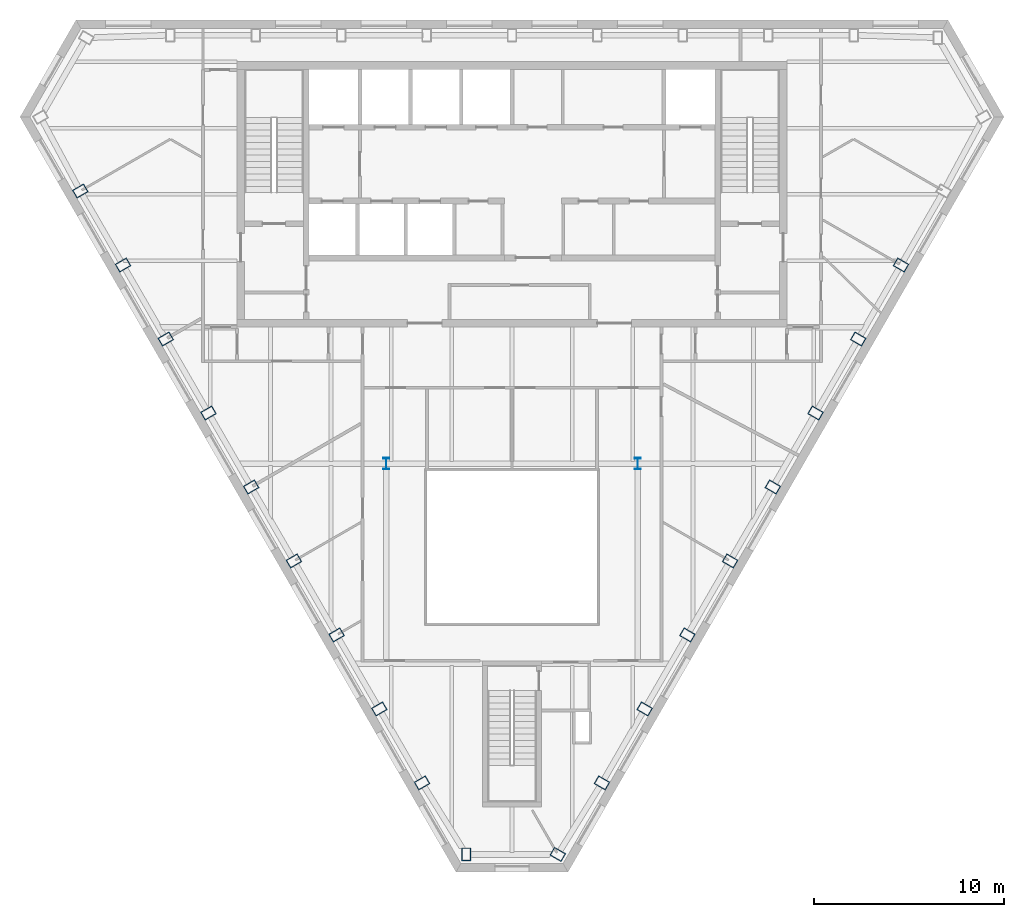
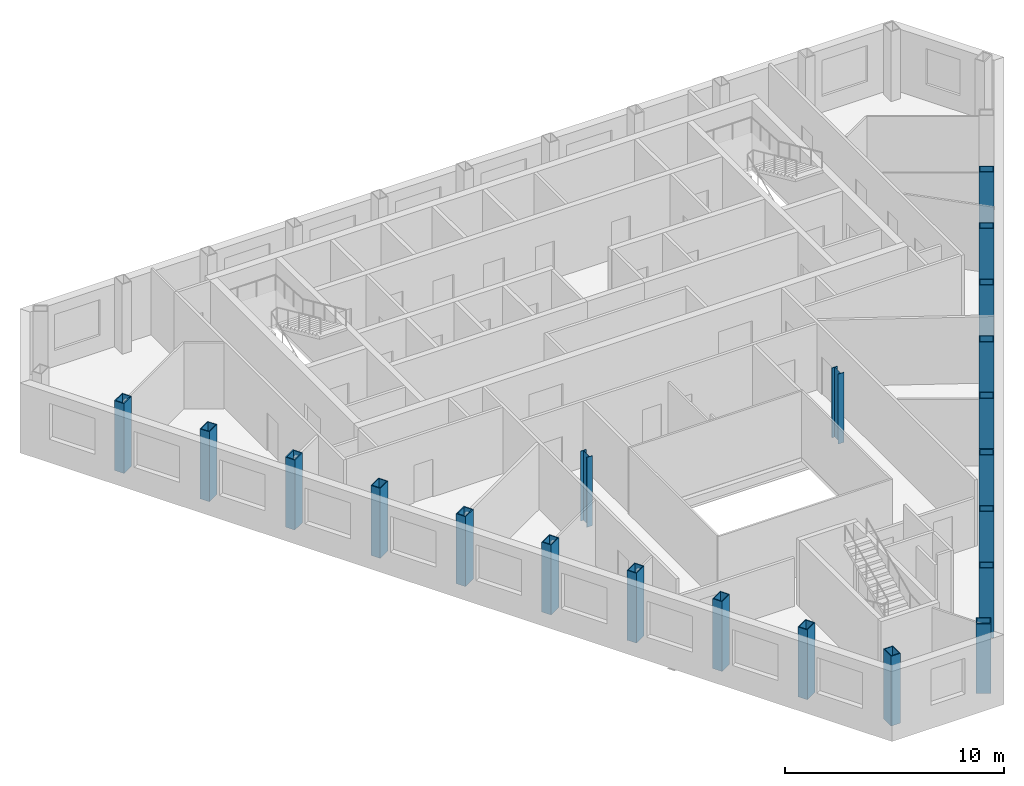
# One storey, part 1 of 10: 21 columns.
"""IFC4 building model written with IfcOpenShell, lengths in metres."""

from ifc_helpers import new_model, si_unit, direction, frame, origin, origin_2d, place, context, subcontext, project, spatial, hollow_rectangle, i_section, extrude, material, material_profile, profile_set, type_object, element, save


model = new_model("IFC4")

# Units and contexts
model_context = context("Model", 3, precision=1e-05, world=origin(), true_north=direction((0.0, 1.0)))
body_context = subcontext(model_context, "Body", "Model", "MODEL_VIEW")
ifc_project = project(units=[si_unit("LENGTHUNIT", "METRE"), si_unit("AREAUNIT", "SQUARE_METRE"), si_unit("VOLUMEUNIT", "CUBIC_METRE"), si_unit("PLANEANGLEUNIT", "RADIAN"), si_unit("MASSUNIT", "GRAM", prefix="KILO")], contexts=[model_context])

# Site, building, storey
site_placement = place(None, origin())
site = spatial("IfcSite", under=ifc_project, at=site_placement, CompositionType="ELEMENT")
building_placement = place(site_placement, origin())
building = spatial("IfcBuilding", under=site, at=building_placement, Name="Njiva Tower", CompositionType="ELEMENT")
storey_placement = place(building_placement, frame((0.0, 0.0, 261.0)))
storey = spatial("IfcBuildingStorey", under=building, at=storey_placement, Name="L59", CompositionType="ELEMENT", Elevation=261.0)

# Columns
ifc_material = material(Name="Steel S355 J2", Category="steel")
ifc_material_profile_1 = material_profile(ifc_material, hollow_rectangle(XDim=0.5, YDim=0.7, WallThickness=0.045, at=origin_2d()), Name="BOX 700x500x45")
ifc_profile_set_1 = profile_set([ifc_material_profile_1], Name="Steel S355 J2")
column_type_1 = type_object("IfcColumnType", Name="C13 Perimeter tube column BOX 700x500x45", PredefinedType="COLUMN", material=ifc_profile_set_1)
for number, where, z_axis, x_axis, name in (
    (1, (-22.773, 11.179, 0.0), (0.0, 0.0, 1.0), (0.5, -0.866025403784, 0.0), "Perimeter tube column S19-C13"),
    (2, (-20.52, 7.276, 0.0), (0.0, 0.0, 1.0), (0.5, -0.866025403784, 0.0), "Perimeter tube column S19-C14"),
    (3, (-18.266, 3.373, 0.0), (0.0, 0.0, 1.0), (0.5, -0.866025403784, 0.0), "Perimeter tube column S19-C15"),
    (4, (-16.013, -0.53, 0.0), (0.0, 0.0, 1.0), (0.5, -0.866025403784, 0.0), "Perimeter tube column S19-C16"),
    (5, (-13.76, -4.432, 0.0), (0.0, 0.0, 1.0), (0.5, -0.866025403784, 0.0), "Perimeter tube column S19-C17"),
    (6, (-11.506, -8.335, 0.0), (0.0, 0.0, 1.0), (0.5, -0.866025403784, 0.0), "Perimeter tube column S19-C18"),
    (7, (-9.253, -12.238, 0.0), (0.0, 0.0, 1.0), (0.5, -0.866025403784, 0.0), "Perimeter tube column S19-C19"),
    (8, (-7.0, -16.141, 0.0), (0.0, 0.0, 1.0), (0.5, -0.866025403784, 0.0), "Perimeter tube column S19-C20"),
    (9, (-4.746, -20.044, 0.0), (0.0, 0.0, 1.0), (0.5, -0.866025403784, 0.0), "Perimeter tube column S19-C21"),
    (10, (-2.416, -23.814, 0.0), (0.0, 0.0, 1.0), (1.0, 0.0, 0.0), "Perimeter tube column S19-C22"),
    (11, (2.416, -23.814, 0.0), (0.0, 0.0, 1.0), (0.5, 0.866025403784, 0.0), "Perimeter tube column S19-C23"),
    (12, (4.746, -20.044, 0.0), (0.0, 0.0, 1.0), (0.5, 0.866025403784, 0.0), "Perimeter tube column S19-C24"),
    (13, (7.0, -16.141, 0.0), (0.0, 0.0, 1.0), (0.5, 0.866025403784, 0.0), "Perimeter tube column S19-C25"),
    (14, (9.253, -12.238, 0.0), (0.0, 0.0, 1.0), (0.5, 0.866025403784, 0.0), "Perimeter tube column S19-C26"),
    (15, (11.506, -8.335, 0.0), (0.0, 0.0, 1.0), (0.5, 0.866025403784, 0.0), "Perimeter tube column S19-C27"),
    (16, (13.76, -4.432, 0.0), (0.0, 0.0, 1.0), (0.5, 0.866025403784, 0.0), "Perimeter tube column S19-C28"),
    (17, (16.013, -0.53, 0.0), (0.0, 0.0, 1.0), (0.5, 0.866025403784, 0.0), "Perimeter tube column S19-C29"),
    (18, (18.266, 3.373, 0.0), (0.0, 0.0, 1.0), (0.5, 0.866025403784, 0.0), "Perimeter tube column S19-C30"),
    (19, (20.52, 7.276, 0.0), (0.0, 0.0, 1.0), (0.5, 0.866025403784, 0.0), "Perimeter tube column S19-C31"),
):
    element("IfcColumn", number, at=place(storey_placement, frame(where, z_axis=z_axis, x_axis=x_axis)), inside=storey, type_object=column_type_1, Name=name, PredefinedType="COLUMN", context=body_context, shape_type="SweptSolid", body=[
        extrude(hollow_rectangle(XDim=0.5, YDim=0.7, WallThickness=0.045, at=origin_2d()), origin(), (0.0, 0.0, 1.0), 3.9),
    ])
ifc_material_profile_2 = material_profile(ifc_material, i_section(OverallWidth=0.3, OverallDepth=0.6, WebThickness=0.0155, FlangeThickness=0.03, at=origin_2d()), Name="HEB 600")
ifc_profile_set_2 = profile_set([ifc_material_profile_2], Name="Steel S355 J2")
column_type_2 = type_object("IfcColumnType", Name="C14 Interior column HEB 600", PredefinedType="COLUMN", material=ifc_profile_set_2)
for number, where, z_axis, x_axis, name in (
    (20, (6.63, -3.2, 0.0), (0.0, 0.0, 1.0), (1.0, 0.0, 0.0), "Interior column S19-C34"),
    (21, (-6.63, -3.2, 0.0), (0.0, 0.0, 1.0), (1.0, 0.0, 0.0), "Interior column S19-C35"),
):
    element("IfcColumn", number, at=place(storey_placement, frame(where, z_axis=z_axis, x_axis=x_axis)), inside=storey, type_object=column_type_2, Name=name, PredefinedType="COLUMN", context=body_context, shape_type="SweptSolid", body=[
        extrude(i_section(OverallWidth=0.3, OverallDepth=0.6, WebThickness=0.0155, FlangeThickness=0.03, at=origin_2d()), origin(), (0.0, 0.0, 1.0), 3.9),
    ])

save(model, "model.ifc")
